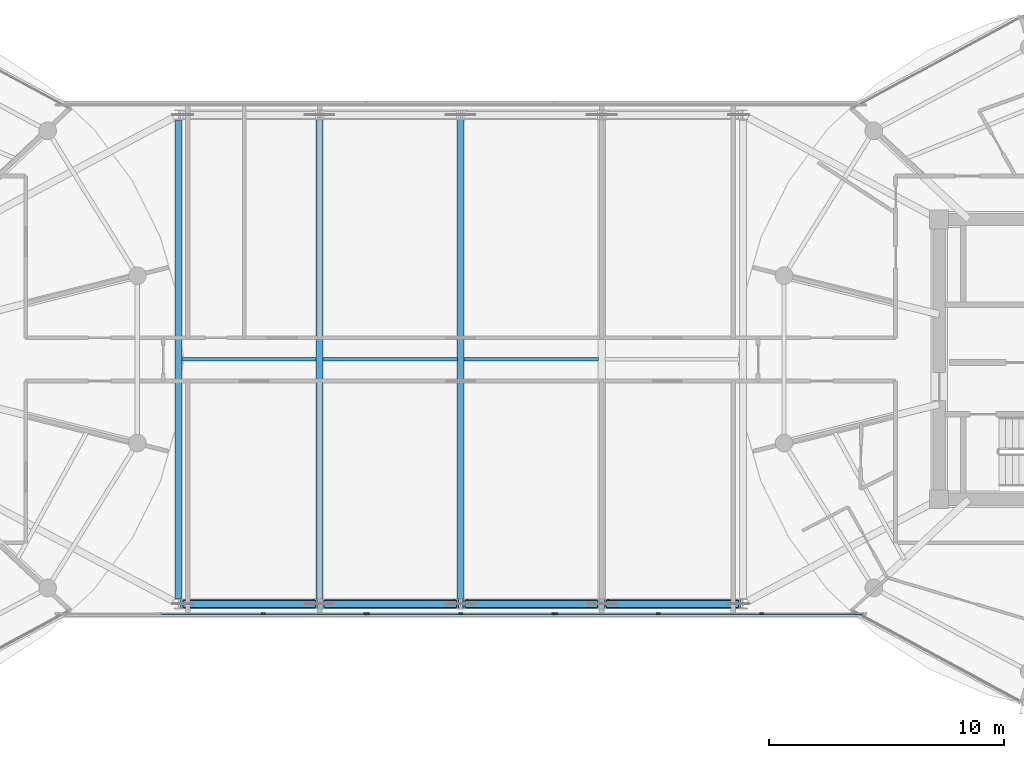
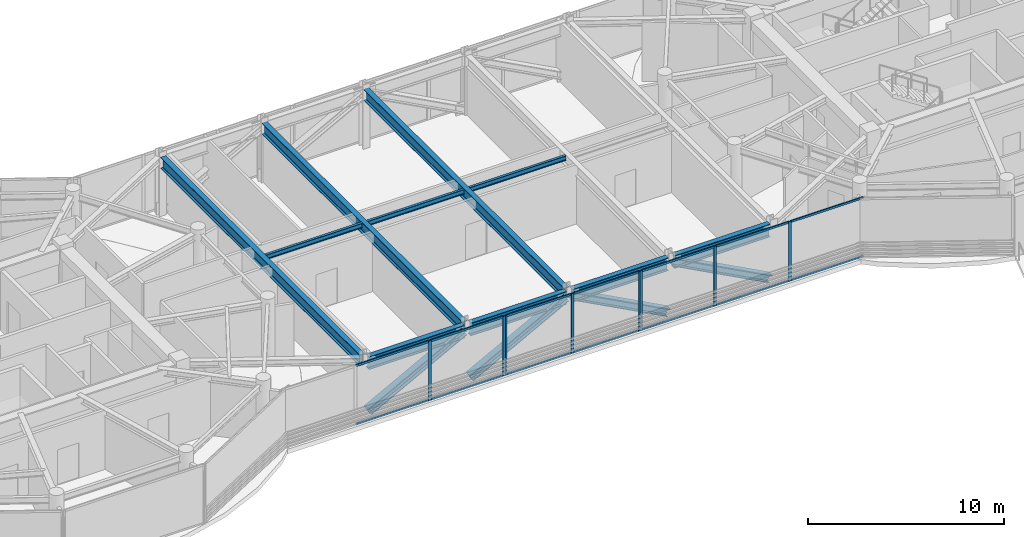
# One storey, part 6 of 24: 26 members, 10 beams, 3 elements without a shape of their own.
"""IFC4 building model written with IfcOpenShell, lengths in metres."""

from ifc_helpers import new_model, si_unit, direction, frame, origin, origin_2d, place, context, subcontext, project, spatial, rectangle, i_section, extrude, source, transform, mapped, material, layer, layer_set, material_profile, profile_set, type_object, type_shapes, element, aggregate, save


model = new_model("IFC4")

# Units and contexts
model_context = context("Model", 3, precision=1e-05, world=origin(), true_north=direction((0.0, 1.0)))
body_context = subcontext(model_context, "Body", "Model", "MODEL_VIEW")
ifc_project = project(units=[si_unit("LENGTHUNIT", "METRE"), si_unit("AREAUNIT", "SQUARE_METRE"), si_unit("VOLUMEUNIT", "CUBIC_METRE"), si_unit("PLANEANGLEUNIT", "RADIAN"), si_unit("MASSUNIT", "GRAM", prefix="KILO")], contexts=[model_context])

# Site, building, storey
site_placement = place(None, origin())
site = spatial("IfcSite", under=ifc_project, at=site_placement, CompositionType="ELEMENT")
building_placement = place(site_placement, origin())
building = spatial("IfcBuilding", under=site, at=building_placement, Name="Norrkilde Senior Care Towers", CompositionType="ELEMENT")
storey_placement = place(building_placement, frame((0.0, 0.0, 203.800048828125)))
storey = spatial("IfcBuildingStorey", under=building, at=storey_placement, Name="L63", CompositionType="ELEMENT", Elevation=203.800048828125)

# Beams
ifc_material_1 = material(Name="Steel S355", Category="steel")
ifc_material_profile_1 = material_profile(ifc_material_1, i_section(OverallWidth=0.300048828125, OverallDepth=0.699951171875, WebThickness=0.01708984375, FlangeThickness=0.031982421875, FilletRadius=0.027099609375, at=origin_2d()), Name="HEB 700")
ifc_profile_set_1 = profile_set([ifc_material_profile_1], Name="Steel S355")
beam_type_1 = type_object("IfcBeamType", Name="Bridge Cross Girder HEB700", PredefinedType="USERDEFINED", material=ifc_profile_set_1)
shared_shape_1 = source(origin(), body_context, "Body", "SweptSolid", [
    extrude(i_section(OverallWidth=0.300048828125, OverallDepth=0.699951171875, WebThickness=0.01708984375, FlangeThickness=0.031982421875, FilletRadius=0.027099609375, at=origin_2d()), origin(), (0.0, 0.0, 1.0), 20.31982421875),
])
beam_placement = place(storey_placement, frame((-12.0, -10.159912109375, 3.35986328125), z_axis=(0.0, 1.0, 0.0), x_axis=(-1.0, 0.0, 0.0)))
element("IfcBeam", 1, at=beam_placement, inside=storey, type_object=beam_type_1, Name="L63 Sky-Gate Bridge Cross Girder -12", ObjectType="GIRDER", PredefinedType="USERDEFINED", context=body_context, shape_type="MappedRepresentation", body=[
    mapped(shared_shape_1, transform((0.0, 0.0, 0.0), x_axis=(1.0, 0.0, 0.0), y_axis=(0.0, 1.0, 0.0), z_axis=(0.0, 0.0, 1.0), scale=1.0)),
])
shared_shape_2 = source(origin(), body_context, "Body", "SweptSolid", [
    extrude(i_section(OverallWidth=0.300048828125, OverallDepth=0.699951171875, WebThickness=0.01708984375, FlangeThickness=0.031982421875, FilletRadius=0.027099609375, at=origin_2d()), origin(), (0.0, 0.0, 1.0), 20.43994140625),
])
type_shapes(beam_type_1, [shared_shape_1, shared_shape_2])
for number, where, z_axis, x_axis, name in (
    (2, (-6.0, -10.219970703125, 3.35986328125), (0.0, 1.0, 0.0), (-1.0, 0.0, 0.0), "L63 Sky-Gate Bridge Cross Girder -6"),
    (3, (0.0, -10.219970703125, 3.35986328125), (0.0, 1.0, 0.0), (-1.0, 0.0, 0.0), "L63 Sky-Gate Bridge Cross Girder +0"),
):
    element("IfcBeam", number, at=place(storey_placement, frame(where, z_axis=z_axis, x_axis=x_axis)), inside=storey, type_object=beam_type_1, Name=name, ObjectType="GIRDER", PredefinedType="USERDEFINED", context=body_context, shape_type="MappedRepresentation", body=[
        mapped(shared_shape_2, transform((0.0, 0.0, 0.0), x_axis=(1.0, 0.0, 0.0), y_axis=(0.0, 1.0, 0.0), z_axis=(0.0, 0.0, 1.0), scale=1.0)),
    ])
ifc_material_profile_2 = material_profile(ifc_material_1, i_section(OverallWidth=0.300048828125, OverallDepth=0.800048828125, WebThickness=0.017578125, FlangeThickness=0.032958984375, FilletRadius=0.030029296875, at=origin_2d()), Name="HEB 800")
ifc_profile_set_2 = profile_set([ifc_material_profile_2], Name="Steel S355")
beam_type_2 = type_object("IfcBeamType", Name="Bridge Floor Girder HEB800", PredefinedType="USERDEFINED", material=ifc_profile_set_2)
shared_shape_3 = source(origin(), body_context, "Body", "SweptSolid", [
    extrude(i_section(OverallWidth=0.300048828125, OverallDepth=0.800048828125, WebThickness=0.017578125, FlangeThickness=0.032958984375, FilletRadius=0.030029296875, at=origin_2d()), origin(), (0.0, 0.0, 1.0), 5.64013671875),
])
type_shapes(beam_type_2, [shared_shape_3])
for number, where, z_axis, x_axis, name in (
    (4, (-11.820068359375, -10.39990234375, 3.31005859375), (1.0, 0.0, 0.0), (0.0, 1.0, 0.0), "L63 Sky-Gate Bridge Girder S2"),
    (5, (-5.820068359375, -10.39990234375, 3.31005859375), (1.0, 0.0, 0.0), (0.0, 1.0, 0.0), "L63 Sky-Gate Bridge Girder S3"),
    (6, (0.179931640625, -10.39990234375, 3.31005859375), (1.0, 0.0, 0.0), (0.0, 1.0, 0.0), "L63 Sky-Gate Bridge Girder S4"),
    (7, (6.179931640625, -10.39990234375, 3.31005859375), (1.0, 0.0, 0.0), (0.0, 1.0, 0.0), "L63 Sky-Gate Bridge Girder S5"),
):
    element("IfcBeam", number, at=place(storey_placement, frame(where, z_axis=z_axis, x_axis=x_axis)), inside=storey, type_object=beam_type_2, Name=name, ObjectType="GIRDER", PredefinedType="USERDEFINED", context=body_context, shape_type="MappedRepresentation", body=[
        mapped(shared_shape_3, transform((0.0, 0.0, 0.0), x_axis=(1.0, 0.0, 0.0), y_axis=(0.0, 1.0, 0.0), z_axis=(0.0, 0.0, 1.0), scale=1.0)),
    ])

# Members
ifc_material_profile_3 = material_profile(ifc_material_1, i_section(OverallWidth=0.412109375, OverallDepth=0.449951171875, WebThickness=0.028076171875, FlangeThickness=0.044921875, FilletRadius=0.014892578125, at=origin_2d()), Name="HD 400x509")
ifc_profile_set_3 = profile_set([ifc_material_profile_3], Name="Steel S355")
member_type_1 = type_object("IfcMemberType", Name="Pratt Bridge Truss Diagonal HD400x509", PredefinedType="BRACE", material=ifc_profile_set_3)
shared_shape_4 = source(origin(), body_context, "Body", "SweptSolid", [
    extrude(i_section(OverallWidth=0.412109375, OverallDepth=0.449951171875, WebThickness=0.028076171875, FlangeThickness=0.044921875, FilletRadius=0.014892578125, at=origin_2d()), origin(), (0.0, 0.0, 1.0), 6.39306640625),
])
type_shapes(member_type_1, [shared_shape_4])
for number, where, z_axis, x_axis, name in (
    (8, (-11.820068359375, -10.39990234375, 0.300048828125), (0.882227112754, 0.0, 0.470824087661), (0.0, 1.0, 0.0), "L63 Sky-Gate Pratt Truss Diagonal S2"),
    (9, (-5.820068359375, -10.39990234375, 0.300048828125), (0.882227112754, 0.0, 0.470824087661), (0.0, 1.0, 0.0), "L63 Sky-Gate Pratt Truss Diagonal S3"),
    (10, (5.820068359375, -10.39990234375, 0.300048828125), (-0.882227112754, 0.0, 0.470824087661), (0.0, -1.0, 0.0), "L63 Sky-Gate Pratt Truss Diagonal S4"),
    (11, (11.820068359375, -10.39990234375, 0.300048828125), (-0.882227112754, 0.0, 0.470824087661), (0.0, -1.0, 0.0), "L63 Sky-Gate Pratt Truss Diagonal S5"),
):
    element("IfcMember", number, at=place(storey_placement, frame(where, z_axis=z_axis, x_axis=x_axis)), inside=storey, type_object=member_type_1, Name=name, PredefinedType="BRACE", context=body_context, shape_type="MappedRepresentation", body=[
        mapped(shared_shape_4, transform((0.0, 0.0, 0.0), x_axis=(1.0, 0.0, 0.0), y_axis=(0.0, 1.0, 0.0), z_axis=(0.0, 0.0, 1.0), scale=1.0)),
    ])

# Beams
ifc_material_profile_4 = material_profile(ifc_material_1, i_section(OverallWidth=0.14990234375, OverallDepth=0.300048828125, WebThickness=0.007080078125, FlangeThickness=0.0107421875, FilletRadius=0.014892578125, at=origin_2d()), Name="IPE 300")
ifc_profile_set_4 = profile_set([ifc_material_profile_4], Name="Steel S355")
beam_type_3 = type_object("IfcBeamType", Name="Bridge Deck Joist IPE300", PredefinedType="JOIST", material=ifc_profile_set_4)
shared_shape_5 = source(origin(), body_context, "Body", "SweptSolid", [
    extrude(i_section(OverallWidth=0.14990234375, OverallDepth=0.300048828125, WebThickness=0.007080078125, FlangeThickness=0.0107421875, FilletRadius=0.014892578125, at=origin_2d()), origin(), (0.0, 0.0, 1.0), 5.7099609375),
])
type_shapes(beam_type_3, [shared_shape_5])
for number, where, z_axis, x_axis, name in (
    (12, (-11.85498046875, 0.0, 3.56005859375), (1.0, 0.0, 0.0), (0.0, 1.0, 0.0), "L63 Bridge Deck Joist 1"),
    (13, (-5.85498046875, 0.0, 3.56005859375), (1.0, 0.0, 0.0), (0.0, 1.0, 0.0), "L63 Bridge Deck Joist 2"),
    (14, (0.14501953125, 0.0, 3.56005859375), (1.0, 0.0, 0.0), (0.0, 1.0, 0.0), "L63 Bridge Deck Joist 3"),
):
    element("IfcBeam", number, at=place(storey_placement, frame(where, z_axis=z_axis, x_axis=x_axis)), inside=storey, type_object=beam_type_3, Name=name, PredefinedType="JOIST", context=body_context, shape_type="MappedRepresentation", body=[
        mapped(shared_shape_5, transform((0.0, 0.0, 0.0), x_axis=(1.0, 0.0, 0.0), y_axis=(0.0, 1.0, 0.0), z_axis=(0.0, 0.0, 1.0), scale=1.0)),
    ])

# Curtain wall, members
ifc_material_2 = material(Name="Triple Low-E Insulated Glazing", Category="glass")
ifc_layer = layer(ifc_material_2, 0.2099609375)
ifc_layer_set = layer_set([ifc_layer], Name="Triple Low-E Insulated Glazing")
curtain_wall_type = type_object("IfcCurtainWallType", Name="CW5 Sky-Gate Bridge Curtain Wall", PredefinedType="NOTDEFINED", material=ifc_layer_set)
curtain_wall_1_placement = place(storey_placement, origin())
curtain_wall_1 = element("IfcCurtainWall", 15, at=curtain_wall_1_placement, inside=storey, type_object=curtain_wall_type, Name="L63 Sky-Gate Bridge South Curtain Wall 1", PredefinedType="NOTDEFINED")
ifc_material_3 = material(Name="Anodised Aluminium", Category="aluminium")
ifc_material_profile_5 = material_profile(ifc_material_3, rectangle(XDim=0.070068359375, YDim=0.169921875, at=origin_2d()), Name="ALU MULL 70x170")
ifc_profile_set_5 = profile_set([ifc_material_profile_5], Name="Anodised Aluminium")
member_type_2 = type_object("IfcMemberType", Name="Curtain Wall Mullion Heavy 70x170", PredefinedType="MULLION", material=ifc_profile_set_5)
shared_shape_6 = source(origin(), body_context, "Body", "SweptSolid", [
    extrude(rectangle(XDim=0.070068359375, YDim=0.169921875, at=origin_2d()), origin(), (0.0, 0.0, 1.0), 3.7099609375),
])
type_shapes(member_type_2, [shared_shape_6])
member_1_placement = place(storey_placement, frame((12.800048828125, -10.820068359375, 0.0), z_axis=(0.0, 0.0, 1.0), x_axis=(0.0, -1.0, 0.0)))
member_1 = element("IfcMember", 16, at=member_1_placement, type_object=member_type_2, Name="CW-5 mullion 2", PredefinedType="MULLION", context=body_context, shape_type="MappedRepresentation", body=[
    mapped(shared_shape_6, transform((0.0, 0.0, 0.0), x_axis=(1.0, 0.0, 0.0), y_axis=(0.0, 1.0, 0.0), z_axis=(0.0, 0.0, 1.0), scale=1.0)),
])
member_2_placement = place(storey_placement, frame((8.39990234375, -10.820068359375, 0.0), z_axis=(0.0, 0.0, 1.0), x_axis=(0.0, -1.0, 0.0)))
member_2 = element("IfcMember", 17, at=member_2_placement, type_object=member_type_2, Name="CW-5 mullion 3", PredefinedType="MULLION", context=body_context, shape_type="MappedRepresentation", body=[
    mapped(shared_shape_6, transform((0.0, 0.0, 0.0), x_axis=(1.0, 0.0, 0.0), y_axis=(0.0, 1.0, 0.0), z_axis=(0.0, 0.0, 1.0), scale=1.0)),
])
member_3_placement = place(storey_placement, frame((4.034912109375, -10.820068359375, 0.0), z_axis=(0.0, 0.0, 1.0), x_axis=(0.0, -1.0, 0.0)))
member_3 = element("IfcMember", 18, at=member_3_placement, type_object=member_type_2, Name="CW-5 mullion 4", PredefinedType="MULLION", context=body_context, shape_type="MappedRepresentation", body=[
    mapped(shared_shape_6, transform((0.0, 0.0, 0.0), x_axis=(1.0, 0.0, 0.0), y_axis=(0.0, 1.0, 0.0), z_axis=(0.0, 0.0, 1.0), scale=1.0)),
])

curtain_wall_2_placement = place(storey_placement, origin())
curtain_wall_2 = element("IfcCurtainWall", 19, at=curtain_wall_2_placement, inside=storey, type_object=curtain_wall_type, Name="L63 Sky-Gate Bridge South Curtain Wall 2", PredefinedType="NOTDEFINED")
member_4_placement = place(storey_placement, frame((3.965087890625, -10.820068359375, 0.0), z_axis=(0.0, 0.0, 1.0), x_axis=(0.0, -1.0, 0.0)))
member_4 = element("IfcMember", 20, at=member_4_placement, type_object=member_type_2, Name="CW-5 mullion 1", PredefinedType="MULLION", context=body_context, shape_type="MappedRepresentation", body=[
    mapped(shared_shape_6, transform((0.0, 0.0, 0.0), x_axis=(1.0, 0.0, 0.0), y_axis=(0.0, 1.0, 0.0), z_axis=(0.0, 0.0, 1.0), scale=1.0)),
])
member_5_placement = place(storey_placement, frame((0.0, -10.820068359375, 0.0), z_axis=(0.0, 0.0, 1.0), x_axis=(0.0, -1.0, 0.0)))
member_5 = element("IfcMember", 21, at=member_5_placement, type_object=member_type_2, Name="CW-5 mullion 2", PredefinedType="MULLION", context=body_context, shape_type="MappedRepresentation", body=[
    mapped(shared_shape_6, transform((0.0, 0.0, 0.0), x_axis=(1.0, 0.0, 0.0), y_axis=(0.0, 1.0, 0.0), z_axis=(0.0, 0.0, 1.0), scale=1.0)),
])
member_6_placement = place(storey_placement, frame((-3.965087890625, -10.820068359375, 0.0), z_axis=(0.0, 0.0, 1.0), x_axis=(0.0, -1.0, 0.0)))
member_6 = element("IfcMember", 22, at=member_6_placement, type_object=member_type_2, Name="CW-5 mullion 3", PredefinedType="MULLION", context=body_context, shape_type="MappedRepresentation", body=[
    mapped(shared_shape_6, transform((0.0, 0.0, 0.0), x_axis=(1.0, 0.0, 0.0), y_axis=(0.0, 1.0, 0.0), z_axis=(0.0, 0.0, 1.0), scale=1.0)),
])

curtain_wall_3_placement = place(storey_placement, origin())
curtain_wall_3 = element("IfcCurtainWall", 23, at=curtain_wall_3_placement, inside=storey, type_object=curtain_wall_type, Name="L63 Sky-Gate Bridge South Curtain Wall 3", PredefinedType="NOTDEFINED")
member_7_placement = place(storey_placement, frame((-4.034912109375, -10.820068359375, 0.0), z_axis=(0.0, 0.0, 1.0), x_axis=(0.0, -1.0, 0.0)))
member_7 = element("IfcMember", 24, at=member_7_placement, type_object=member_type_2, Name="CW-5 mullion 1", PredefinedType="MULLION", context=body_context, shape_type="MappedRepresentation", body=[
    mapped(shared_shape_6, transform((0.0, 0.0, 0.0), x_axis=(1.0, 0.0, 0.0), y_axis=(0.0, 1.0, 0.0), z_axis=(0.0, 0.0, 1.0), scale=1.0)),
])
member_8_placement = place(storey_placement, frame((-8.39990234375, -10.820068359375, 0.0), z_axis=(0.0, 0.0, 1.0), x_axis=(0.0, -1.0, 0.0)))
member_8 = element("IfcMember", 25, at=member_8_placement, type_object=member_type_2, Name="CW-5 mullion 2", PredefinedType="MULLION", context=body_context, shape_type="MappedRepresentation", body=[
    mapped(shared_shape_6, transform((0.0, 0.0, 0.0), x_axis=(1.0, 0.0, 0.0), y_axis=(0.0, 1.0, 0.0), z_axis=(0.0, 0.0, 1.0), scale=1.0)),
])

# Member
ifc_material_profile_6 = material_profile(ifc_material_3, rectangle(XDim=0.06494140625, YDim=0.1298828125, at=origin_2d()), Name="ALU TRAN 65x130")
ifc_profile_set_6 = profile_set([ifc_material_profile_6], Name="Anodised Aluminium")
member_type_3 = type_object("IfcMemberType", Name="Curtain Wall Transom Heavy 65x130", PredefinedType="USERDEFINED", material=ifc_profile_set_6)
shared_shape_7 = source(origin(), body_context, "Body", "SweptSolid", [
    extrude(rectangle(XDim=0.06494140625, YDim=0.1298828125, at=origin_2d()), origin(), (0.0, 0.0, 1.0), 4.294921875),
])
member_9_placement = place(storey_placement, frame((17.1298828125, -10.820068359375, 0.032470703125), z_axis=(-1.0, 0.0, 0.0), x_axis=(0.0, -1.0, 0.0)))
member_9 = element("IfcMember", 26, at=member_9_placement, type_object=member_type_3, Name="CW-5 transom 1.1", ObjectType="TRANSOM", PredefinedType="USERDEFINED", context=body_context, shape_type="MappedRepresentation", body=[
    mapped(shared_shape_7, transform((0.0, 0.0, 0.0), x_axis=(1.0, 0.0, 0.0), y_axis=(0.0, 1.0, 0.0), z_axis=(0.0, 0.0, 1.0), scale=1.0)),
])

member_10_placement = place(storey_placement, frame((17.1298828125, -10.820068359375, 3.677490234375), z_axis=(-1.0, 0.0, 0.0), x_axis=(0.0, -1.0, 0.0)))
member_10 = element("IfcMember", 27, at=member_10_placement, type_object=member_type_3, Name="CW-5 transom 1.2", ObjectType="TRANSOM", PredefinedType="USERDEFINED", context=body_context, shape_type="MappedRepresentation", body=[
    mapped(shared_shape_7, transform((0.0, 0.0, 0.0), x_axis=(1.0, 0.0, 0.0), y_axis=(0.0, 1.0, 0.0), z_axis=(0.0, 0.0, 1.0), scale=1.0)),
])

member_11_placement = place(storey_placement, frame((8.364990234375, -10.820068359375, 0.032470703125), z_axis=(-1.0, 0.0, 0.0), x_axis=(0.0, -1.0, 0.0)))
member_11 = element("IfcMember", 28, at=member_11_placement, type_object=member_type_3, Name="CW-5 transom 3.1", ObjectType="TRANSOM", PredefinedType="USERDEFINED", context=body_context, shape_type="MappedRepresentation", body=[
    mapped(shared_shape_7, transform((0.0, 0.0, 0.0), x_axis=(1.0, 0.0, 0.0), y_axis=(0.0, 1.0, 0.0), z_axis=(0.0, 0.0, 1.0), scale=1.0)),
])

member_12_placement = place(storey_placement, frame((8.364990234375, -10.820068359375, 3.677490234375), z_axis=(-1.0, 0.0, 0.0), x_axis=(0.0, -1.0, 0.0)))
member_12 = element("IfcMember", 29, at=member_12_placement, type_object=member_type_3, Name="CW-5 transom 3.2", ObjectType="TRANSOM", PredefinedType="USERDEFINED", context=body_context, shape_type="MappedRepresentation", body=[
    mapped(shared_shape_7, transform((0.0, 0.0, 0.0), x_axis=(1.0, 0.0, 0.0), y_axis=(0.0, 1.0, 0.0), z_axis=(0.0, 0.0, 1.0), scale=1.0)),
])

member_13_placement = place(storey_placement, frame((-4.070068359375, -10.820068359375, 0.032470703125), z_axis=(-1.0, 0.0, 0.0), x_axis=(0.0, -1.0, 0.0)))
member_13 = element("IfcMember", 30, at=member_13_placement, type_object=member_type_3, Name="CW-5 transom 1.1", ObjectType="TRANSOM", PredefinedType="USERDEFINED", context=body_context, shape_type="MappedRepresentation", body=[
    mapped(shared_shape_7, transform((0.0, 0.0, 0.0), x_axis=(1.0, 0.0, 0.0), y_axis=(0.0, 1.0, 0.0), z_axis=(0.0, 0.0, 1.0), scale=1.0)),
])

member_14_placement = place(storey_placement, frame((-4.070068359375, -10.820068359375, 3.677490234375), z_axis=(-1.0, 0.0, 0.0), x_axis=(0.0, -1.0, 0.0)))
member_14 = element("IfcMember", 31, at=member_14_placement, type_object=member_type_3, Name="CW-5 transom 1.2", ObjectType="TRANSOM", PredefinedType="USERDEFINED", context=body_context, shape_type="MappedRepresentation", body=[
    mapped(shared_shape_7, transform((0.0, 0.0, 0.0), x_axis=(1.0, 0.0, 0.0), y_axis=(0.0, 1.0, 0.0), z_axis=(0.0, 0.0, 1.0), scale=1.0)),
])

shared_shape_8 = source(origin(), body_context, "Body", "SweptSolid", [
    extrude(rectangle(XDim=0.06494140625, YDim=0.1298828125, at=origin_2d()), origin(), (0.0, 0.0, 1.0), 4.329833984375),
])
member_15_placement = place(storey_placement, frame((12.764892578125, -10.820068359375, 0.032470703125), z_axis=(-1.0, 0.0, 0.0), x_axis=(0.0, -1.0, 0.0)))
member_15 = element("IfcMember", 32, at=member_15_placement, type_object=member_type_3, Name="CW-5 transom 2.1", ObjectType="TRANSOM", PredefinedType="USERDEFINED", context=body_context, shape_type="MappedRepresentation", body=[
    mapped(shared_shape_8, transform((0.0, 0.0, 0.0), x_axis=(1.0, 0.0, 0.0), y_axis=(0.0, 1.0, 0.0), z_axis=(0.0, 0.0, 1.0), scale=1.0)),
])

member_16_placement = place(storey_placement, frame((12.764892578125, -10.820068359375, 3.677490234375), z_axis=(-1.0, 0.0, 0.0), x_axis=(0.0, -1.0, 0.0)))
member_16 = element("IfcMember", 33, at=member_16_placement, type_object=member_type_3, Name="CW-5 transom 2.2", ObjectType="TRANSOM", PredefinedType="USERDEFINED", context=body_context, shape_type="MappedRepresentation", body=[
    mapped(shared_shape_8, transform((0.0, 0.0, 0.0), x_axis=(1.0, 0.0, 0.0), y_axis=(0.0, 1.0, 0.0), z_axis=(0.0, 0.0, 1.0), scale=1.0)),
])

aggregate(curtain_wall_1, [member_1, member_2, member_3, member_9, member_10, member_15, member_16, member_11, member_12])

member_17_placement = place(storey_placement, frame((-8.43505859375, -10.820068359375, 0.032470703125), z_axis=(-1.0, 0.0, 0.0), x_axis=(0.0, -1.0, 0.0)))
member_17 = element("IfcMember", 34, at=member_17_placement, type_object=member_type_3, Name="CW-5 transom 2.1", ObjectType="TRANSOM", PredefinedType="USERDEFINED", context=body_context, shape_type="MappedRepresentation", body=[
    mapped(shared_shape_8, transform((0.0, 0.0, 0.0), x_axis=(1.0, 0.0, 0.0), y_axis=(0.0, 1.0, 0.0), z_axis=(0.0, 0.0, 1.0), scale=1.0)),
])

member_18_placement = place(storey_placement, frame((-8.43505859375, -10.820068359375, 3.677490234375), z_axis=(-1.0, 0.0, 0.0), x_axis=(0.0, -1.0, 0.0)))
member_18 = element("IfcMember", 35, at=member_18_placement, type_object=member_type_3, Name="CW-5 transom 2.2", ObjectType="TRANSOM", PredefinedType="USERDEFINED", context=body_context, shape_type="MappedRepresentation", body=[
    mapped(shared_shape_8, transform((0.0, 0.0, 0.0), x_axis=(1.0, 0.0, 0.0), y_axis=(0.0, 1.0, 0.0), z_axis=(0.0, 0.0, 1.0), scale=1.0)),
])

aggregate(curtain_wall_3, [member_7, member_8, member_13, member_14, member_17, member_18])

shared_shape_9 = source(origin(), body_context, "Body", "SweptSolid", [
    extrude(rectangle(XDim=0.06494140625, YDim=0.1298828125, at=origin_2d()), origin(), (0.0, 0.0, 1.0), 3.89501953125),
])
type_shapes(member_type_3, [shared_shape_7, shared_shape_8, shared_shape_9])
member_19_placement = place(storey_placement, frame((3.929931640625, -10.820068359375, 0.032470703125), z_axis=(-1.0, 0.0, 0.0), x_axis=(0.0, -1.0, 0.0)))
member_19 = element("IfcMember", 36, at=member_19_placement, type_object=member_type_3, Name="CW-5 transom 1.1", ObjectType="TRANSOM", PredefinedType="USERDEFINED", context=body_context, shape_type="MappedRepresentation", body=[
    mapped(shared_shape_9, transform((0.0, 0.0, 0.0), x_axis=(1.0, 0.0, 0.0), y_axis=(0.0, 1.0, 0.0), z_axis=(0.0, 0.0, 1.0), scale=1.0)),
])

member_20_placement = place(storey_placement, frame((3.929931640625, -10.820068359375, 3.677490234375), z_axis=(-1.0, 0.0, 0.0), x_axis=(0.0, -1.0, 0.0)))
member_20 = element("IfcMember", 37, at=member_20_placement, type_object=member_type_3, Name="CW-5 transom 1.2", ObjectType="TRANSOM", PredefinedType="USERDEFINED", context=body_context, shape_type="MappedRepresentation", body=[
    mapped(shared_shape_9, transform((0.0, 0.0, 0.0), x_axis=(1.0, 0.0, 0.0), y_axis=(0.0, 1.0, 0.0), z_axis=(0.0, 0.0, 1.0), scale=1.0)),
])

member_21_placement = place(storey_placement, frame((-0.034912109375, -10.820068359375, 0.032470703125), z_axis=(-1.0, 0.0, 0.0), x_axis=(0.0, -1.0, 0.0)))
member_21 = element("IfcMember", 38, at=member_21_placement, type_object=member_type_3, Name="CW-5 transom 2.1", ObjectType="TRANSOM", PredefinedType="USERDEFINED", context=body_context, shape_type="MappedRepresentation", body=[
    mapped(shared_shape_9, transform((0.0, 0.0, 0.0), x_axis=(1.0, 0.0, 0.0), y_axis=(0.0, 1.0, 0.0), z_axis=(0.0, 0.0, 1.0), scale=1.0)),
])

member_22_placement = place(storey_placement, frame((-0.034912109375, -10.820068359375, 3.677490234375), z_axis=(-1.0, 0.0, 0.0), x_axis=(0.0, -1.0, 0.0)))
member_22 = element("IfcMember", 39, at=member_22_placement, type_object=member_type_3, Name="CW-5 transom 2.2", ObjectType="TRANSOM", PredefinedType="USERDEFINED", context=body_context, shape_type="MappedRepresentation", body=[
    mapped(shared_shape_9, transform((0.0, 0.0, 0.0), x_axis=(1.0, 0.0, 0.0), y_axis=(0.0, 1.0, 0.0), z_axis=(0.0, 0.0, 1.0), scale=1.0)),
])

aggregate(curtain_wall_2, [member_4, member_5, member_6, member_19, member_20, member_21, member_22])

save(model, "model.ifc")
